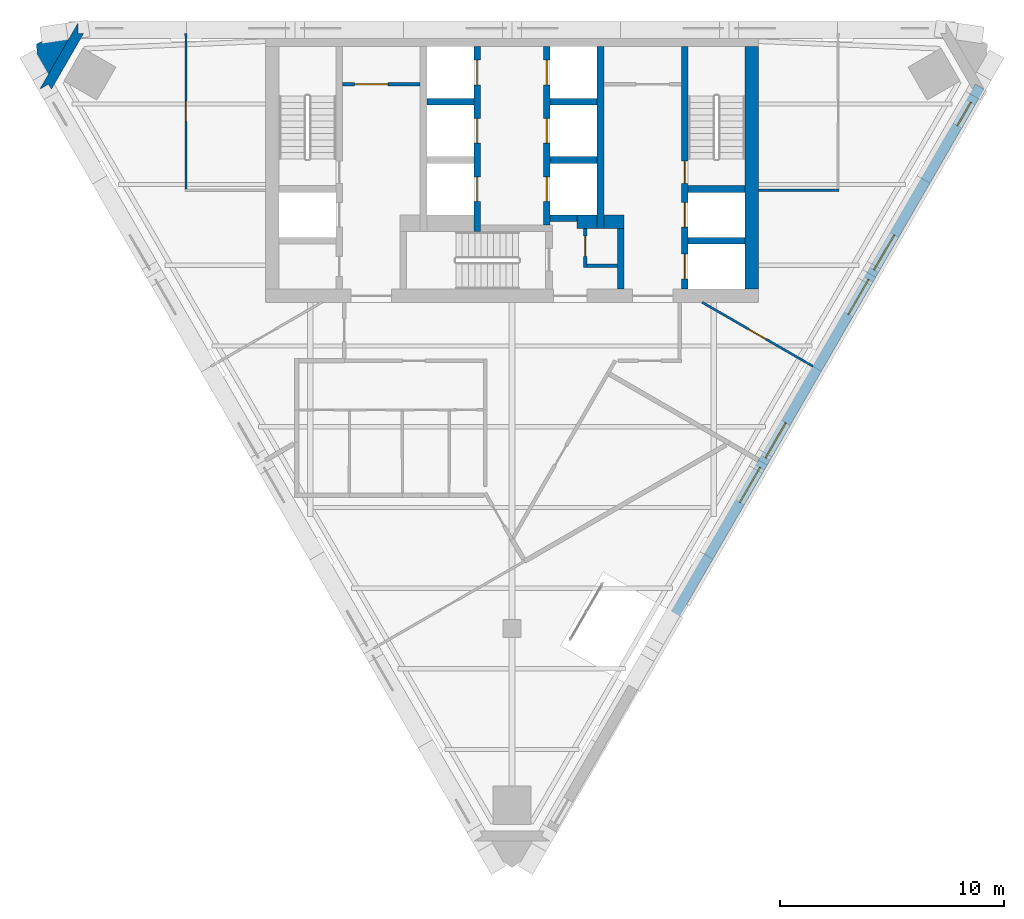
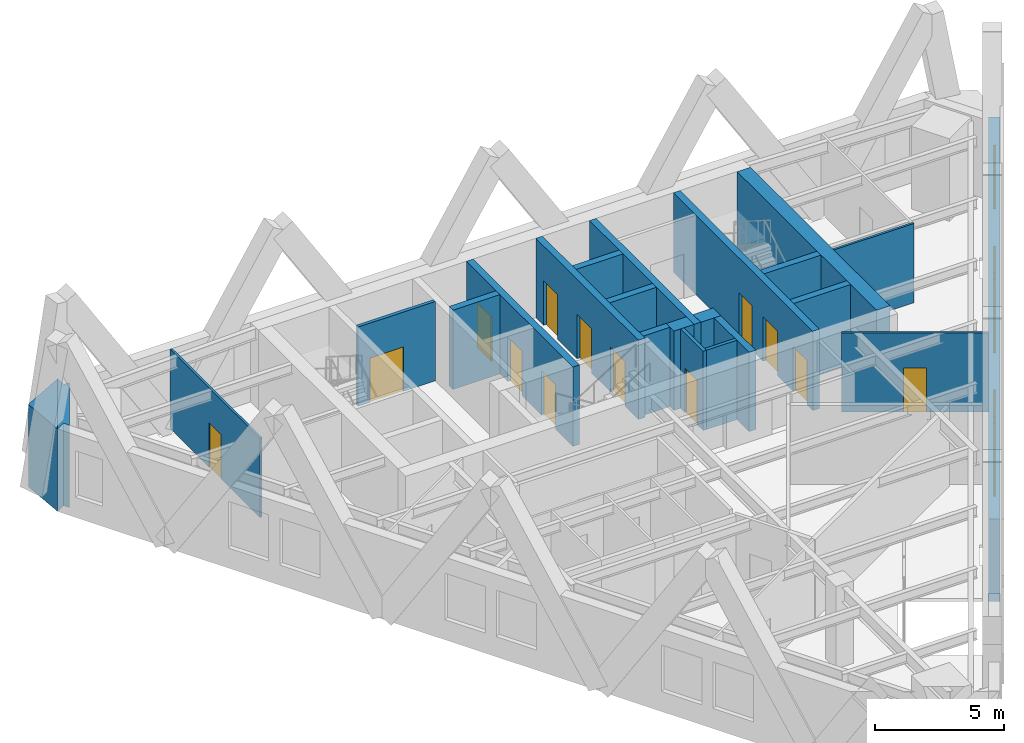
# One storey, part 6 of 10: 23 walls, 13 doors, 5 windows, 18 openings.
"""IFC4 building model written with IfcOpenShell, lengths in metres."""

from ifc_helpers import new_model, si_unit, direction, frame, frame_2d, origin, place, context, subcontext, project, spatial, polyline, rectangle, outline, extrude, material, layer, layer_set, type_object, element, fill, save


model = new_model("IFC4")

# Units and contexts
model_context = context("Model", 3, precision=1e-05, world=origin(), true_north=direction((0.0, 1.0)))
body_context = subcontext(model_context, "Body", "Model", "MODEL_VIEW")
ifc_project = project(units=[si_unit("LENGTHUNIT", "METRE"), si_unit("AREAUNIT", "SQUARE_METRE"), si_unit("VOLUMEUNIT", "CUBIC_METRE"), si_unit("PLANEANGLEUNIT", "RADIAN"), si_unit("MASSUNIT", "GRAM", prefix="KILO")], contexts=[model_context])

# Site, building, storey
site_placement = place(None, origin())
site = spatial("IfcSite", under=ifc_project, at=site_placement, CompositionType="ELEMENT")
building_placement = place(site_placement, origin())
building = spatial("IfcBuilding", under=site, at=building_placement, Name="Aloe Facet Convention Tower", CompositionType="ELEMENT")
storey_placement = place(building_placement, frame((0.0, 0.0, 219.199951171875)))
storey = spatial("IfcBuildingStorey", under=building, at=storey_placement, Name="L55", CompositionType="ELEMENT", Elevation=219.199951171875)

# Wall, opening, door
ifc_material_1 = material(Name="Concrete blockwork partition", Category="masonry")
ifc_layer_1 = layer(ifc_material_1, 0.14990234375)
ifc_layer_set_1 = layer_set([ifc_layer_1], Name="CR-W-PART150")
wall_type_1 = type_object("IfcWallType", Name="CR-W-PART150", PredefinedType="PARTITIONING", material=ifc_layer_set_1)
wall_1_placement = place(storey_placement, frame((72.449951171875, 132.27490234375, 0.0), z_axis=(0.0, 0.0, 1.0), x_axis=(1.0, 0.0, 0.0)))
wall_1 = element("IfcWall", 1, at=wall_1_placement, inside=storey, type_object=wall_type_1, Name="Core partition L55-007", PredefinedType="PARTITIONING", context=body_context, shape_type="SweptSolid", body=[
    extrude(rectangle(XDim=3.449951171875, YDim=0.14990234375, at=frame_2d((1.72509765625, 0.0))), origin(), (0.0, 0.0, 1.0), 3.75),
])
opening_1_placement = place(wall_1_placement, frame((0.52490234375, 0.0, 0.0)))
opening_1 = element("IfcOpeningElement", 2, at=opening_1_placement, cuts=wall_1, Name="Opening L55-CD14", PredefinedType="OPENING", context=body_context, shape_type="SweptSolid", body=[
    extrude(rectangle(XDim=1.5, YDim=2.10009765625, at=frame_2d((0.75, 1.050048828125))), frame((0.0, 0.0849609375, 0.0), z_axis=(0.0, -1.0, 0.0), x_axis=(1.0, 0.0, 0.0)), (0.0, 0.0, 1.0), 0.169921875),
])
ifc_material_2 = material(Name="Steel fire-resisting door set FD60", Category="steel")
door_type_1 = type_object("IfcDoorType", Name="CR-D-REFUGE-1500-FD60-DD", OperationType="DOUBLE_DOOR_DOUBLE_SWING", PredefinedType="DOOR", material=ifc_material_2)
door_1_placement = place(opening_1_placement, origin())
door_1 = element("IfcDoor", 3, at=door_1_placement, inside=storey, type_object=door_type_1, Name="Core door L55-CD14", OperationType="DOUBLE_DOOR_DOUBLE_SWING", OverallHeight=2.10009765625, OverallWidth=1.5, PredefinedType="DOOR", context=body_context, shape_type="SweptSolid", body=[
    extrude(rectangle(XDim=1.5, YDim=2.10009765625, at=frame_2d((0.75, 1.050048828125))), frame((0.0, 0.02490234375, 0.0), z_axis=(0.0, -1.0, 0.0), x_axis=(1.0, 0.0, 0.0)), (0.0, 0.0, 1.0), 0.050048828125),
])
fill(opening_1, door_1)

wall_2_placement = place(storey_placement, frame((83.27490234375, 125.85009765625, 0.0), z_axis=(0.0, 0.0, 1.0), x_axis=(0.0, -1.0, 0.0)))
wall_2 = element("IfcWall", 4, at=wall_2_placement, inside=storey, type_object=wall_type_1, Name="Core partition L55-022", PredefinedType="PARTITIONING", context=body_context, shape_type="SweptSolid", body=[
    extrude(rectangle(XDim=1.75, YDim=0.14990234375, at=frame_2d((0.875, 0.0))), origin(), (0.0, 0.0, 1.0), 3.75),
])
opening_2_placement = place(wall_2_placement, frame((0.35009765625, 0.0, 0.0)))
opening_2 = element("IfcOpeningElement", 5, at=opening_2_placement, cuts=wall_2, Name="Opening L55-CD12", PredefinedType="OPENING", context=body_context, shape_type="SweptSolid", body=[
    extrude(rectangle(XDim=0.89990234375, YDim=2.10009765625, at=frame_2d((0.449951171875, 1.050048828125))), frame((0.0, 0.0849609375, 0.0), z_axis=(0.0, -1.0, 0.0), x_axis=(1.0, 0.0, 0.0)), (0.0, 0.0, 1.0), 0.169921875),
])
ifc_material_3 = material(Name="Steel fire-resisting door set FD60", Category="steel")
door_type_2 = type_object("IfcDoorType", Name="CR-D-REFUGE-900-FD60-SRIGHT", OperationType="SINGLE_SWING_RIGHT", PredefinedType="DOOR", material=ifc_material_3)
door_2_placement = place(opening_2_placement, origin())
door_2 = element("IfcDoor", 6, at=door_2_placement, inside=storey, type_object=door_type_2, Name="Core door L55-CD12", OperationType="SINGLE_SWING_RIGHT", OverallHeight=2.10009765625, OverallWidth=0.89990234375, PredefinedType="DOOR", context=body_context, shape_type="SweptSolid", body=[
    extrude(rectangle(XDim=0.89990234375, YDim=2.10009765625, at=frame_2d((0.449951171875, 1.050048828125))), frame((0.0, 0.02490234375, 0.0), z_axis=(0.0, -1.0, 0.0), x_axis=(1.0, 0.0, 0.0)), (0.0, 0.0, 1.0), 0.050048828125),
])
fill(opening_2, door_2)

# Walls
wall_3_placement = place(storey_placement, frame((83.35009765625, 124.175048828125, 0.0), z_axis=(0.0, 0.0, 1.0), x_axis=(1.0, 0.0, 0.0)))
element("IfcWall", 7, at=wall_3_placement, inside=storey, type_object=wall_type_1, Name="Core partition L55-023", PredefinedType="PARTITIONING", context=body_context, shape_type="SweptSolid", body=[
    extrude(rectangle(XDim=1.349853515625, YDim=0.14990234375, at=frame_2d((0.6748046875, 0.0))), origin(), (0.0, 0.0, 1.0), 3.75),
])
ifc_material_4 = material(Name="Concrete C50/60", Category="concrete")
ifc_layer_2 = layer(ifc_material_4, 0.300048828125)
ifc_layer_set_2 = layer_set([ifc_layer_2], Name="CR-W-RC300-C5060")
wall_type_2 = type_object("IfcWallType", Name="CR-W-RC300-C5060", PredefinedType="SOLIDWALL", material=ifc_layer_set_2)
wall_4_placement = place(storey_placement, frame((76.199951171875, 131.5, 0.0), z_axis=(0.0, 0.0, 1.0), x_axis=(1.0, 0.0, 0.0)))
element("IfcWall", 8, at=wall_4_placement, inside=storey, type_object=wall_type_2, Name="Core wall L55-011", PredefinedType="SOLIDWALL", context=body_context, shape_type="SweptSolid", body=[
    extrude(rectangle(XDim=2.10009765625, YDim=0.300048828125, at=frame_2d((1.050048828125, 0.0))), origin(), (0.0, 0.0, 1.0), 3.75),
])

# Wall, openings, doors
wall_5_placement = place(storey_placement, frame((78.449951171875, 133.949951171875, 0.0), z_axis=(0.0, 0.0, 1.0), x_axis=(0.0, -1.0, 0.0)))
wall_5 = element("IfcWall", 9, at=wall_5_placement, inside=storey, type_object=wall_type_2, Name="Core wall L55-014", PredefinedType="SOLIDWALL", context=body_context, shape_type="SweptSolid", body=[
    extrude(rectangle(XDim=8.25, YDim=0.300048828125, at=frame_2d((4.125, 0.0))), origin(), (0.0, 0.0, 1.0), 3.75),
])
opening_3_placement = place(wall_5_placement, frame((0.60009765625, 0.0, 0.0)))
opening_3 = element("IfcOpeningElement", 10, at=opening_3_placement, cuts=wall_5, Name="Opening LD-B1-L55", PredefinedType="OPENING", context=body_context, shape_type="SweptSolid", body=[
    extrude(rectangle(XDim=1.10009765625, YDim=2.10009765625, at=frame_2d((0.550048828125, 1.050048828125))), frame((0.0, 0.16015625, 0.0), z_axis=(0.0, -1.0, 0.0), x_axis=(1.0, 0.0, 0.0)), (0.0, 0.0, 1.0), 0.320068359375),
])
opening_4_placement = place(wall_5_placement, frame((3.199951171875, 0.0, 0.0)))
opening_4 = element("IfcOpeningElement", 11, at=opening_4_placement, cuts=wall_5, Name="Opening LD-B2-L55", PredefinedType="OPENING", context=body_context, shape_type="SweptSolid", body=[
    extrude(rectangle(XDim=1.10009765625, YDim=2.10009765625, at=frame_2d((0.550048828125, 1.050048828125))), frame((0.0, 0.16015625, 0.0), z_axis=(0.0, -1.0, 0.0), x_axis=(1.0, 0.0, 0.0)), (0.0, 0.0, 1.0), 0.320068359375),
])
opening_5_placement = place(wall_5_placement, frame((5.800048828125, 0.0, 0.0)))
opening_5 = element("IfcOpeningElement", 12, at=opening_5_placement, cuts=wall_5, Name="Opening LD-B3-L55", PredefinedType="OPENING", context=body_context, shape_type="SweptSolid", body=[
    extrude(rectangle(XDim=1.10009765625, YDim=2.10009765625, at=frame_2d((0.550048828125, 1.050048828125))), frame((0.0, 0.16015625, 0.0), z_axis=(0.0, -1.0, 0.0), x_axis=(1.0, 0.0, 0.0)), (0.0, 0.0, 1.0), 0.320068359375),
])
ifc_material_5 = material(Name="Stainless steel sliding landing door", Category="steel")
door_type_3 = type_object("IfcDoorType", Name="CR-LD-1100-FD60-RIGHT", OperationType="SLIDING_TO_RIGHT", PredefinedType="DOOR", material=ifc_material_5)
door_3_placement = place(opening_3_placement, origin())
door_3 = element("IfcDoor", 13, at=door_3_placement, inside=storey, type_object=door_type_3, Name="Landing door B1 L55", OperationType="SLIDING_TO_RIGHT", OverallHeight=2.10009765625, OverallWidth=1.10009765625, PredefinedType="DOOR", context=body_context, shape_type="SweptSolid", body=[
    extrude(rectangle(XDim=1.10009765625, YDim=2.10009765625, at=frame_2d((0.550048828125, 1.050048828125))), frame((0.0, 0.02490234375, 0.0), z_axis=(0.0, -1.0, 0.0), x_axis=(1.0, 0.0, 0.0)), (0.0, 0.0, 1.0), 0.050048828125),
])
fill(opening_3, door_3)
door_4_placement = place(opening_4_placement, origin())
door_4 = element("IfcDoor", 14, at=door_4_placement, inside=storey, type_object=door_type_3, Name="Landing door B2 L55", OperationType="SLIDING_TO_RIGHT", OverallHeight=2.10009765625, OverallWidth=1.10009765625, PredefinedType="DOOR", context=body_context, shape_type="SweptSolid", body=[
    extrude(rectangle(XDim=1.10009765625, YDim=2.10009765625, at=frame_2d((0.550048828125, 1.050048828125))), frame((0.0, 0.02490234375, 0.0), z_axis=(0.0, -1.0, 0.0), x_axis=(1.0, 0.0, 0.0)), (0.0, 0.0, 1.0), 0.050048828125),
])
fill(opening_4, door_4)
door_5_placement = place(opening_5_placement, origin())
door_5 = element("IfcDoor", 15, at=door_5_placement, inside=storey, type_object=door_type_3, Name="Landing door B3 L55", OperationType="SLIDING_TO_RIGHT", OverallHeight=2.10009765625, OverallWidth=1.10009765625, PredefinedType="DOOR", context=body_context, shape_type="SweptSolid", body=[
    extrude(rectangle(XDim=1.10009765625, YDim=2.10009765625, at=frame_2d((0.550048828125, 1.050048828125))), frame((0.0, 0.02490234375, 0.0), z_axis=(0.0, -1.0, 0.0), x_axis=(1.0, 0.0, 0.0)), (0.0, 0.0, 1.0), 0.050048828125),
])
fill(opening_5, door_5)

wall_6_placement = place(storey_placement, frame((81.550048828125, 133.949951171875, 0.0), z_axis=(0.0, 0.0, 1.0), x_axis=(0.0, -1.0, 0.0)))
wall_6 = element("IfcWall", 16, at=wall_6_placement, inside=storey, type_object=wall_type_2, Name="Core wall L55-016", PredefinedType="SOLIDWALL", context=body_context, shape_type="SweptSolid", body=[
    extrude(rectangle(XDim=7.949951171875, YDim=0.300048828125, at=frame_2d((3.97509765625, 0.0))), origin(), (0.0, 0.0, 1.0), 3.75),
])
opening_6_placement = place(wall_6_placement, frame((0.60009765625, 0.0, 0.0)))
opening_6 = element("IfcOpeningElement", 17, at=opening_6_placement, cuts=wall_6, Name="Opening LD-B4-L55", PredefinedType="OPENING", context=body_context, shape_type="SweptSolid", body=[
    extrude(rectangle(XDim=1.10009765625, YDim=2.10009765625, at=frame_2d((0.550048828125, 1.050048828125))), frame((0.0, 0.16015625, 0.0), z_axis=(0.0, -1.0, 0.0), x_axis=(1.0, 0.0, 0.0)), (0.0, 0.0, 1.0), 0.320068359375),
])
opening_7_placement = place(wall_6_placement, frame((3.199951171875, 0.0, 0.0)))
opening_7 = element("IfcOpeningElement", 18, at=opening_7_placement, cuts=wall_6, Name="Opening LD-B5-L55", PredefinedType="OPENING", context=body_context, shape_type="SweptSolid", body=[
    extrude(rectangle(XDim=1.10009765625, YDim=2.10009765625, at=frame_2d((0.550048828125, 1.050048828125))), frame((0.0, 0.16015625, 0.0), z_axis=(0.0, -1.0, 0.0), x_axis=(1.0, 0.0, 0.0)), (0.0, 0.0, 1.0), 0.320068359375),
])
opening_8_placement = place(wall_6_placement, frame((5.800048828125, 0.0, 0.0)))
opening_8 = element("IfcOpeningElement", 19, at=opening_8_placement, cuts=wall_6, Name="Opening LD-B6-L55", PredefinedType="OPENING", context=body_context, shape_type="SweptSolid", body=[
    extrude(rectangle(XDim=1.10009765625, YDim=2.10009765625, at=frame_2d((0.550048828125, 1.050048828125))), frame((0.0, 0.16015625, 0.0), z_axis=(0.0, -1.0, 0.0), x_axis=(1.0, 0.0, 0.0)), (0.0, 0.0, 1.0), 0.320068359375),
])
ifc_material_6 = material(Name="Stainless steel sliding landing door", Category="steel")
door_type_4 = type_object("IfcDoorType", Name="CR-LD-1100-FD60-_LEFT", OperationType="SLIDING_TO_LEFT", PredefinedType="DOOR", material=ifc_material_6)
door_6_placement = place(opening_6_placement, origin())
door_6 = element("IfcDoor", 20, at=door_6_placement, inside=storey, type_object=door_type_4, Name="Landing door B4 L55", OperationType="SLIDING_TO_LEFT", OverallHeight=2.10009765625, OverallWidth=1.10009765625, PredefinedType="DOOR", context=body_context, shape_type="SweptSolid", body=[
    extrude(rectangle(XDim=1.10009765625, YDim=2.10009765625, at=frame_2d((0.550048828125, 1.050048828125))), frame((0.0, 0.02490234375, 0.0), z_axis=(0.0, -1.0, 0.0), x_axis=(1.0, 0.0, 0.0)), (0.0, 0.0, 1.0), 0.050048828125),
])
fill(opening_6, door_6)
door_7_placement = place(opening_7_placement, origin())
door_7 = element("IfcDoor", 21, at=door_7_placement, inside=storey, type_object=door_type_4, Name="Landing door B5 L55", OperationType="SLIDING_TO_LEFT", OverallHeight=2.10009765625, OverallWidth=1.10009765625, PredefinedType="DOOR", context=body_context, shape_type="SweptSolid", body=[
    extrude(rectangle(XDim=1.10009765625, YDim=2.10009765625, at=frame_2d((0.550048828125, 1.050048828125))), frame((0.0, 0.02490234375, 0.0), z_axis=(0.0, -1.0, 0.0), x_axis=(1.0, 0.0, 0.0)), (0.0, 0.0, 1.0), 0.050048828125),
])
fill(opening_7, door_7)
door_8_placement = place(opening_8_placement, origin())
door_8 = element("IfcDoor", 22, at=door_8_placement, inside=storey, type_object=door_type_4, Name="Landing door B6 L55", OperationType="SLIDING_TO_LEFT", OverallHeight=2.10009765625, OverallWidth=1.10009765625, PredefinedType="DOOR", context=body_context, shape_type="SweptSolid", body=[
    extrude(rectangle(XDim=1.10009765625, YDim=2.10009765625, at=frame_2d((0.550048828125, 1.050048828125))), frame((0.0, 0.02490234375, 0.0), z_axis=(0.0, -1.0, 0.0), x_axis=(1.0, 0.0, 0.0)), (0.0, 0.0, 1.0), 0.050048828125),
])
fill(opening_8, door_8)

# Walls
for number, where, z_axis, x_axis, name in (
    (23, (81.699951171875, 131.5, 0.0), (0.0, 0.0, 1.0), (1.0, 0.0, 0.0), "Core wall L55-018"),
    (24, (81.699951171875, 128.89990234375, 0.0), (0.0, 0.0, 1.0), (1.0, 0.0, 0.0), "Core wall L55-019"),
):
    element("IfcWall", number, at=place(storey_placement, frame(where, z_axis=z_axis, x_axis=x_axis)), inside=storey, type_object=wall_type_2, Name=name, PredefinedType="SOLIDWALL", context=body_context, shape_type="SweptSolid", body=[
        extrude(rectangle(XDim=2.10009765625, YDim=0.300048828125, at=frame_2d((1.050048828125, 0.0))), origin(), (0.0, 0.0, 1.0), 3.75),
    ])
wall_7_placement = place(storey_placement, frame((81.699951171875, 126.300048828125, 0.0), z_axis=(0.0, 0.0, 1.0), x_axis=(1.0, 0.0, 0.0)))
element("IfcWall", 25, at=wall_7_placement, inside=storey, type_object=wall_type_2, Name="Core wall L55-020", PredefinedType="SOLIDWALL", context=body_context, shape_type="SweptSolid", body=[
    extrude(rectangle(XDim=1.199951171875, YDim=0.300048828125, at=frame_2d((0.60009765625, 0.0))), origin(), (0.0, 0.0, 1.0), 3.75),
])
wall_8_placement = place(storey_placement, frame((83.949951171875, 133.949951171875, 0.0), z_axis=(0.0, 0.0, 1.0), x_axis=(0.0, -1.0, 0.0)))
element("IfcWall", 26, at=wall_8_placement, inside=storey, type_object=wall_type_2, Name="Core wall L55-024", PredefinedType="SOLIDWALL", context=body_context, shape_type="SweptSolid", body=[
    extrude(rectangle(XDim=8.099853515625, YDim=0.300048828125, at=frame_2d((4.0498046875, 0.0))), origin(), (0.0, 0.0, 1.0), 3.75),
])
wall_9_placement = place(storey_placement, frame((84.85009765625, 125.85009765625, 0.0), z_axis=(0.0, 0.0, 1.0), x_axis=(0.0, -1.0, 0.0)))
element("IfcWall", 27, at=wall_9_placement, inside=storey, type_object=wall_type_2, Name="Core wall L55-027", PredefinedType="SOLIDWALL", context=body_context, shape_type="SweptSolid", body=[
    extrude(rectangle(XDim=2.7001953125, YDim=0.300048828125, at=frame_2d((1.35009765625, 0.0))), origin(), (0.0, 0.0, 1.0), 3.75),
])

# Wall, openings, doors
wall_10_placement = place(storey_placement, frame((87.699951171875, 133.949951171875, 0.0), z_axis=(0.0, 0.0, 1.0), x_axis=(0.0, -1.0, 0.0)))
wall_10 = element("IfcWall", 28, at=wall_10_placement, inside=storey, type_object=wall_type_2, Name="Core wall L55-028", PredefinedType="SOLIDWALL", context=body_context, shape_type="SweptSolid", body=[
    extrude(rectangle(XDim=10.800048828125, YDim=0.300048828125, at=frame_2d((5.39990234375, 0.0))), origin(), (0.0, 0.0, 1.0), 3.75),
])
opening_9_placement = place(wall_10_placement, frame((6.949951171875, 0.0, 0.0)))
opening_9 = element("IfcOpeningElement", 29, at=opening_9_placement, cuts=wall_10, Name="Opening LD-FF2-L55", PredefinedType="OPENING", context=body_context, shape_type="SweptSolid", body=[
    extrude(rectangle(XDim=1.10009765625, YDim=2.10009765625, at=frame_2d((0.550048828125, 1.050048828125))), frame((0.0, 0.16015625, 0.0), z_axis=(0.0, -1.0, 0.0), x_axis=(1.0, 0.0, 0.0)), (0.0, 0.0, 1.0), 0.320068359375),
])
opening_10_placement = place(wall_10_placement, frame((5.10009765625, 0.0, 0.0)))
opening_10 = element("IfcOpeningElement", 30, at=opening_10_placement, cuts=wall_10, Name="Opening L55-CD17", PredefinedType="OPENING", context=body_context, shape_type="SweptSolid", body=[
    extrude(rectangle(XDim=1.0, YDim=2.10009765625, at=frame_2d((0.5, 1.050048828125))), frame((0.0, 0.16015625, 0.0), z_axis=(0.0, -1.0, 0.0), x_axis=(1.0, 0.0, 0.0)), (0.0, 0.0, 1.0), 0.320068359375),
])
opening_11_placement = place(wall_10_placement, frame((9.25, 0.0, 0.0)))
opening_11 = element("IfcOpeningElement", 31, at=opening_11_placement, cuts=wall_10, Name="Opening LD-SV1-L55", PredefinedType="OPENING", context=body_context, shape_type="SweptSolid", body=[
    extrude(rectangle(XDim=1.10009765625, YDim=2.10009765625, at=frame_2d((0.550048828125, 1.050048828125))), frame((0.0, 0.16015625, 0.0), z_axis=(0.0, -1.0, 0.0), x_axis=(1.0, 0.0, 0.0)), (0.0, 0.0, 1.0), 0.320068359375),
])
ifc_material_7 = material(Name="Steel fire-resisting door set FD120", Category="steel")
door_type_5 = type_object("IfcDoorType", Name="CR-D-STAIR-1000-FD120-SLEFT", OperationType="SINGLE_SWING_LEFT", PredefinedType="DOOR", material=ifc_material_7)
door_9_placement = place(opening_10_placement, origin())
door_9 = element("IfcDoor", 32, at=door_9_placement, inside=storey, type_object=door_type_5, Name="Core door L55-CD17", OperationType="SINGLE_SWING_LEFT", OverallHeight=2.10009765625, OverallWidth=1.0, PredefinedType="DOOR", context=body_context, shape_type="SweptSolid", body=[
    extrude(rectangle(XDim=1.0, YDim=2.10009765625, at=frame_2d((0.5, 1.050048828125))), frame((0.0, 0.02490234375, 0.0), z_axis=(0.0, -1.0, 0.0), x_axis=(1.0, 0.0, 0.0)), (0.0, 0.0, 1.0), 0.050048828125),
])
fill(opening_10, door_9)
ifc_material_8 = material(Name="Stainless steel sliding landing door", Category="steel")
door_type_6 = type_object("IfcDoorType", Name="CR-LD-1100-FD120-_LEFT", OperationType="SLIDING_TO_LEFT", PredefinedType="DOOR", material=ifc_material_8)
door_10_placement = place(opening_9_placement, origin())
door_10 = element("IfcDoor", 33, at=door_10_placement, inside=storey, type_object=door_type_6, Name="Landing door FF2 L55", OperationType="SLIDING_TO_LEFT", OverallHeight=2.10009765625, OverallWidth=1.10009765625, PredefinedType="DOOR", context=body_context, shape_type="SweptSolid", body=[
    extrude(rectangle(XDim=1.10009765625, YDim=2.10009765625, at=frame_2d((0.550048828125, 1.050048828125))), frame((0.0, 0.02490234375, 0.0), z_axis=(0.0, -1.0, 0.0), x_axis=(1.0, 0.0, 0.0)), (0.0, 0.0, 1.0), 0.050048828125),
])
fill(opening_9, door_10)
door_11_placement = place(opening_11_placement, origin())
door_11 = element("IfcDoor", 34, at=door_11_placement, inside=storey, type_object=door_type_6, Name="Landing door SV1 L55", OperationType="SLIDING_TO_LEFT", OverallHeight=2.10009765625, OverallWidth=1.10009765625, PredefinedType="DOOR", context=body_context, shape_type="SweptSolid", body=[
    extrude(rectangle(XDim=1.10009765625, YDim=2.10009765625, at=frame_2d((0.550048828125, 1.050048828125))), frame((0.0, 0.02490234375, 0.0), z_axis=(0.0, -1.0, 0.0), x_axis=(1.0, 0.0, 0.0)), (0.0, 0.0, 1.0), 0.050048828125),
])
fill(opening_11, door_11)

# Walls
for number, where, z_axis, x_axis, name in (
    (35, (87.85009765625, 127.60009765625, 0.0), (0.0, 0.0, 1.0), (1.0, 0.0, 0.0), "Core wall L55-029"),
    (36, (87.85009765625, 125.300048828125, 0.0), (0.0, 0.0, 1.0), (1.0, 0.0, 0.0), "Core wall L55-030"),
):
    element("IfcWall", number, at=place(storey_placement, frame(where, z_axis=z_axis, x_axis=x_axis)), inside=storey, type_object=wall_type_2, Name=name, PredefinedType="SOLIDWALL", context=body_context, shape_type="SweptSolid", body=[
        extrude(rectangle(XDim=2.5498046875, YDim=0.300048828125, at=frame_2d((1.27490234375, 0.0))), origin(), (0.0, 0.0, 1.0), 3.75),
    ])
ifc_material_9 = material(Name="Concrete C50/60", Category="concrete")
ifc_layer_3 = layer(ifc_material_9, 0.60009765625)
ifc_layer_set_3 = layer_set([ifc_layer_3], Name="CR-W-RC600-C5060")
wall_type_3 = type_object("IfcWallType", Name="CR-W-RC600-C5060", PredefinedType="SOLIDWALL", material=ifc_layer_set_3)
wall_11_placement = place(storey_placement, frame((82.89990234375, 126.14990234375, 0.0), z_axis=(0.0, 0.0, 1.0), x_axis=(1.0, 0.0, 0.0)))
element("IfcWall", 37, at=wall_11_placement, inside=storey, type_object=wall_type_3, Name="Core wall L55-021", PredefinedType="SOLIDWALL", context=body_context, shape_type="SweptSolid", body=[
    extrude(rectangle(XDim=0.900146484375, YDim=0.60009765625, at=frame_2d((0.4501953125, 0.0))), origin(), (0.0, 0.0, 1.0), 3.75),
])
wall_12_placement = place(storey_placement, frame((84.10009765625, 126.14990234375, 0.0), z_axis=(0.0, 0.0, 1.0), x_axis=(1.0, 0.0, 0.0)))
element("IfcWall", 38, at=wall_12_placement, inside=storey, type_object=wall_type_3, Name="Core wall L55-026", PredefinedType="SOLIDWALL", context=body_context, shape_type="SweptSolid", body=[
    extrude(rectangle(XDim=0.89990234375, YDim=0.60009765625, at=frame_2d((0.449951171875, 0.0))), origin(), (0.0, 0.0, 1.0), 3.75),
])
wall_13_placement = place(storey_placement, frame((90.699951171875, 133.949951171875, 0.0), z_axis=(0.0, 0.0, 1.0), x_axis=(0.0, -1.0, 0.0)))
element("IfcWall", 39, at=wall_13_placement, inside=storey, type_object=wall_type_3, Name="Core wall L55-031", PredefinedType="SOLIDWALL", context=body_context, shape_type="SweptSolid", body=[
    extrude(rectangle(XDim=10.800048828125, YDim=0.60009765625, at=frame_2d((5.39990234375, 0.0))), origin(), (0.0, 0.0, 1.0), 3.75),
])
ifc_material_10 = material(Name="Precast concrete C40/50", Category="concrete")
ifc_layer_4 = layer(ifc_material_10, 0.449951171875)
ifc_layer_set_4 = layer_set([ifc_layer_4], Name="EV-WALL-PIER")
wall_type_4 = type_object("IfcWallType", Name="EV-WALL-PIER", PredefinedType="SOLIDWALL", material=ifc_layer_set_4)
wall_14_placement = place(storey_placement, frame((0.0, 0.0, -0.14990234375)))
element("IfcWall", 40, at=wall_14_placement, inside=storey, type_object=wall_type_4, Name="EP-L55-A", PredefinedType="SOLIDWALL", context=body_context, shape_type="SweptSolid", body=[
    extrude(outline(polyline([(60.635498046875, 135.0), (60.635498046875, 134.550048828125), (60.895263671875, 134.550048828125), (59.455078125, 132.055419921875), (59.3251953125, 132.280517578125), (58.935302734375, 132.055419921875), (60.635498046875, 135.0)])), origin(), (0.0, 0.0, 1.0), 3.89990234375),
])
ifc_material_11 = material(Name="Precast concrete C40/50", Category="concrete")
ifc_layer_5 = layer(ifc_material_11, 3.947998046875)
ifc_layer_set_5 = layer_set([ifc_layer_5], Name="EV-WALL-SPINE")
wall_type_5 = type_object("IfcWallType", Name="EV-WALL-SPINE", PredefinedType="SOLIDWALL", material=ifc_layer_set_5)
wall_15_placement = place(storey_placement, frame((0.0, 0.0, -0.14990234375)))
element("IfcWall", 41, at=wall_15_placement, inside=storey, type_object=wall_type_5, Name="SP-NW-L55", PredefinedType="SOLIDWALL", context=body_context, shape_type="SweptSolid", body=[
    extrude(outline(polyline([(60.635498046875, 135.0), (58.785888671875, 134.07177734375), (58.935302734375, 132.055419921875), (60.635498046875, 135.0)])), origin(), (0.0, 0.0, 1.0), 3.89990234375),
])

# Wall, openings, windows
ifc_material_12 = material(Name="Precast concrete C40/50", Category="concrete")
ifc_layer_6 = layer(ifc_material_12, 0.449951171875)
ifc_layer_set_6 = layer_set([ifc_layer_6], Name="EV-WALL-STONE")
wall_type_6 = type_object("IfcWallType", Name="EV-WALL-STONE", PredefinedType="SOLIDWALL", material=ifc_layer_set_6)
wall_16_placement = place(storey_placement, frame((87.29638671875, 108.658203125, -0.14990234375), z_axis=(0.0, 0.0, 1.0), x_axis=(0.500003227337, 0.866023540472, 0.0)))
wall_16 = element("IfcWall", 42, at=wall_16_placement, inside=storey, type_object=wall_type_6, Name="EW-L55-E02", PredefinedType="SOLIDWALL", context=body_context, shape_type="SweptSolid", body=[
    extrude(outline(polyline([(27.14697265625, 3.89990234375), (27.14697265625, 0.0), (0.0, 0.0), (0.0, 3.89990234375), (27.14697265625, 3.89990234375)])), frame((0.0, 0.22509765625, 0.0), z_axis=(0.0, -1.0, 0.0), x_axis=(1.0, 0.0, 0.0)), (0.0, 0.0, 1.0), 0.449951171875),
])
opening_12_placement = place(wall_16_placement, frame((5.732421875, 0.0, 0.949951171875)))
opening_12 = element("IfcOpeningElement", 43, at=opening_12_placement, cuts=wall_16, Name="Opening W-L55-E02", PredefinedType="OPENING", context=body_context, shape_type="SweptSolid", body=[
    extrude(rectangle(XDim=1.800048828125, YDim=2.199951171875, at=frame_2d((0.89990234375, 1.10009765625))), frame((0.0, 0.23486328125, 0.0), z_axis=(0.0, -1.0, 0.0), x_axis=(1.0, 0.0, 0.0)), (0.0, 0.0, 1.0), 0.469970703125),
])
opening_13_placement = place(wall_16_placement, frame((8.0322265625, 0.0, 0.949951171875)))
opening_13 = element("IfcOpeningElement", 44, at=opening_13_placement, cuts=wall_16, Name="Opening W-L55-E03", PredefinedType="OPENING", context=body_context, shape_type="SweptSolid", body=[
    extrude(rectangle(XDim=1.800048828125, YDim=2.199951171875, at=frame_2d((0.89990234375, 1.10009765625))), frame((0.0, 0.23486328125, 0.0), z_axis=(0.0, -1.0, 0.0), x_axis=(1.0, 0.0, 0.0)), (0.0, 0.0, 1.0), 0.469970703125),
])
opening_14_placement = place(wall_16_placement, frame((15.41455078125, 0.0, 0.949951171875)))
opening_14 = element("IfcOpeningElement", 45, at=opening_14_placement, cuts=wall_16, Name="Opening W-L55-E04", PredefinedType="OPENING", context=body_context, shape_type="SweptSolid", body=[
    extrude(rectangle(XDim=1.800048828125, YDim=2.199951171875, at=frame_2d((0.89990234375, 1.10009765625))), frame((0.0, 0.23486328125, 0.0), z_axis=(0.0, -1.0, 0.0), x_axis=(1.0, 0.0, 0.0)), (0.0, 0.0, 1.0), 0.469970703125),
])
opening_15_placement = place(wall_16_placement, frame((17.714599609375, 0.0, 0.949951171875)))
opening_15 = element("IfcOpeningElement", 46, at=opening_15_placement, cuts=wall_16, Name="Opening W-L55-E05", PredefinedType="OPENING", context=body_context, shape_type="SweptSolid", body=[
    extrude(rectangle(XDim=1.800048828125, YDim=2.199951171875, at=frame_2d((0.89990234375, 1.10009765625))), frame((0.0, 0.23486328125, 0.0), z_axis=(0.0, -1.0, 0.0), x_axis=(1.0, 0.0, 0.0)), (0.0, 0.0, 1.0), 0.469970703125),
])
opening_16_placement = place(wall_16_placement, frame((25.139892578125, 0.0, 0.949951171875)))
opening_16 = element("IfcOpeningElement", 47, at=opening_16_placement, cuts=wall_16, Name="Opening W-L55-E06", PredefinedType="OPENING", context=body_context, shape_type="SweptSolid", body=[
    extrude(rectangle(XDim=1.199951171875, YDim=2.199951171875, at=frame_2d((0.60009765625, 1.10009765625))), frame((0.0, 0.23486328125, 0.0), z_axis=(0.0, -1.0, 0.0), x_axis=(1.0, 0.0, 0.0)), (0.0, 0.0, 1.0), 0.469970703125),
])
ifc_material_13 = material(Name="Aluminium frame, clear double glazing", Category="aluminium")
window_type_1 = type_object("IfcWindowType", Name="EV-WIN-O12", PartitioningType="SINGLE_PANEL", PredefinedType="WINDOW", material=ifc_material_13)
window_1_placement = place(opening_16_placement, origin())
window_1 = element("IfcWindow", 48, at=window_1_placement, inside=storey, type_object=window_type_1, Name="W-L55-E06", OverallHeight=2.199951171875, OverallWidth=1.199951171875, PartitioningType="SINGLE_PANEL", PredefinedType="WINDOW", context=body_context, shape_type="SweptSolid", body=[
    extrude(rectangle(XDim=1.199951171875, YDim=2.199951171875, at=frame_2d((0.60009765625, 1.10009765625))), frame((0.0, 0.030029296875, 0.0), z_axis=(0.0, -1.0, 0.0), x_axis=(1.0, 0.0, 0.0)), (0.0, 0.0, 1.0), 0.06005859375),
])
fill(opening_16, window_1)
ifc_material_14 = material(Name="Aluminium frame, clear double glazing", Category="aluminium")
window_type_2 = type_object("IfcWindowType", Name="EV-WIN-O18", PartitioningType="SINGLE_PANEL", PredefinedType="WINDOW", material=ifc_material_14)
window_2_placement = place(opening_12_placement, origin())
window_2 = element("IfcWindow", 49, at=window_2_placement, inside=storey, type_object=window_type_2, Name="W-L55-E02", OverallHeight=2.199951171875, OverallWidth=1.800048828125, PartitioningType="SINGLE_PANEL", PredefinedType="WINDOW", context=body_context, shape_type="SweptSolid", body=[
    extrude(rectangle(XDim=1.800048828125, YDim=2.199951171875, at=frame_2d((0.89990234375, 1.10009765625))), frame((0.0, 0.030029296875, 0.0), z_axis=(0.0, -1.0, 0.0), x_axis=(1.0, 0.0, 0.0)), (0.0, 0.0, 1.0), 0.06005859375),
])
fill(opening_12, window_2)
window_3_placement = place(opening_13_placement, origin())
window_3 = element("IfcWindow", 50, at=window_3_placement, inside=storey, type_object=window_type_2, Name="W-L55-E03", OverallHeight=2.199951171875, OverallWidth=1.800048828125, PartitioningType="SINGLE_PANEL", PredefinedType="WINDOW", context=body_context, shape_type="SweptSolid", body=[
    extrude(rectangle(XDim=1.800048828125, YDim=2.199951171875, at=frame_2d((0.89990234375, 1.10009765625))), frame((0.0, 0.030029296875, 0.0), z_axis=(0.0, -1.0, 0.0), x_axis=(1.0, 0.0, 0.0)), (0.0, 0.0, 1.0), 0.06005859375),
])
fill(opening_13, window_3)
window_4_placement = place(opening_14_placement, origin())
window_4 = element("IfcWindow", 51, at=window_4_placement, inside=storey, type_object=window_type_2, Name="W-L55-E04", OverallHeight=2.199951171875, OverallWidth=1.800048828125, PartitioningType="SINGLE_PANEL", PredefinedType="WINDOW", context=body_context, shape_type="SweptSolid", body=[
    extrude(rectangle(XDim=1.800048828125, YDim=2.199951171875, at=frame_2d((0.89990234375, 1.10009765625))), frame((0.0, 0.030029296875, 0.0), z_axis=(0.0, -1.0, 0.0), x_axis=(1.0, 0.0, 0.0)), (0.0, 0.0, 1.0), 0.06005859375),
])
fill(opening_14, window_4)
window_5_placement = place(opening_15_placement, origin())
window_5 = element("IfcWindow", 52, at=window_5_placement, inside=storey, type_object=window_type_2, Name="W-L55-E05", OverallHeight=2.199951171875, OverallWidth=1.800048828125, PartitioningType="SINGLE_PANEL", PredefinedType="WINDOW", context=body_context, shape_type="SweptSolid", body=[
    extrude(rectangle(XDim=1.800048828125, YDim=2.199951171875, at=frame_2d((0.89990234375, 1.10009765625))), frame((0.0, 0.030029296875, 0.0), z_axis=(0.0, -1.0, 0.0), x_axis=(1.0, 0.0, 0.0)), (0.0, 0.0, 1.0), 0.06005859375),
])
fill(opening_15, window_5)

# Wall, opening, door
ifc_material_15 = material(Name="Gypsum board partition on steel studs", Category="steel")
ifc_layer_7 = layer(ifc_material_15, 0.10009765625)
ifc_layer_set_7 = layer_set([ifc_layer_7], Name="IN-W-PART")
wall_type_7 = type_object("IfcWallType", Name="IN-W-PART", PredefinedType="PARTITIONING", material=ifc_layer_set_7)
wall_17_placement = place(storey_placement, frame((88.481689453125, 122.550048828125, 0.0), z_axis=(0.0, 0.0, 1.0), x_axis=(0.866023511746, -0.500003277092, 0.0)))
wall_17 = element("IfcWall", 53, at=wall_17_placement, inside=storey, type_object=wall_type_7, Name="Partition L55-W027", PredefinedType="PARTITIONING", context=body_context, shape_type="SweptSolid", body=[
    extrude(rectangle(XDim=5.6943359375, YDim=0.10009765625, at=frame_2d((2.84716796875, 0.0))), origin(), (0.0, 0.0, 1.0), 3.75),
])
opening_17_placement = place(wall_17_placement, frame((2.397216796875, 0.0, 0.0)))
opening_17 = element("IfcOpeningElement", 54, at=opening_17_placement, cuts=wall_17, Name="Opening L55-013", PredefinedType="OPENING", context=body_context, shape_type="SweptSolid", body=[
    extrude(rectangle(XDim=0.89990234375, YDim=2.10009765625, at=frame_2d((0.449951171875, 1.050048828125))), frame((0.0, 0.06005859375, 0.0), z_axis=(0.0, -1.0, 0.0), x_axis=(1.0, 0.0, 0.0)), (0.0, 0.0, 1.0), 0.1201171875),
])
ifc_material_16 = material(Name="Timber door", Category="wood")
door_type_7 = type_object("IfcDoorType", Name="IN-OFF-D-ROOM", OperationType="SINGLE_SWING_LEFT", PredefinedType="DOOR", material=ifc_material_16)
door_12_placement = place(opening_17_placement, origin())
door_12 = element("IfcDoor", 55, at=door_12_placement, inside=storey, type_object=door_type_7, Name="Door L55-013", OperationType="SINGLE_SWING_LEFT", OverallHeight=2.10009765625, OverallWidth=0.89990234375, PredefinedType="DOOR", context=body_context, shape_type="SweptSolid", body=[
    extrude(rectangle(XDim=0.89990234375, YDim=2.10009765625, at=frame_2d((0.449951171875, 1.050048828125))), frame((0.0, 0.02490234375, 0.0), z_axis=(0.0, -1.0, 0.0), x_axis=(1.0, 0.0, 0.0)), (0.0, 0.0, 1.0), 0.050048828125),
])
fill(opening_17, door_12)

# Wall
wall_18_placement = place(storey_placement, frame((91.0, 127.547119140625, 0.0), z_axis=(0.0, 0.0, 1.0), x_axis=(0.999999667846, 0.00081505101, 0.0)))
element("IfcWall", 56, at=wall_18_placement, inside=storey, type_object=wall_type_7, Name="Partition L55-W035", PredefinedType="PARTITIONING", context=body_context, shape_type="SweptSolid", body=[
    extrude(rectangle(XDim=3.594482421875, YDim=0.10009765625, at=frame_2d((1.79736328125, 0.0))), origin(), (0.0, 0.0, 1.0), 3.75),
])

# Wall, opening, door
wall_19_placement = place(storey_placement, frame((65.4521484375, 134.5498046875, 0.0), z_axis=(0.0, 0.0, 1.0), x_axis=(0.000491814737, -0.999999879059, 0.0)))
wall_19 = element("IfcWall", 57, at=wall_19_placement, inside=storey, type_object=wall_type_7, Name="Partition L55-W038", PredefinedType="PARTITIONING", context=body_context, shape_type="SweptSolid", body=[
    extrude(rectangle(XDim=6.94970703125, YDim=0.10009765625, at=frame_2d((3.474853515625, 0.0))), origin(), (0.0, 0.0, 1.0), 3.75),
])
opening_18_placement = place(wall_19_placement, frame((3.02490234375, 0.0, 0.0)))
opening_18 = element("IfcOpeningElement", 58, at=opening_18_placement, cuts=wall_19, Name="Opening L55-007", PredefinedType="OPENING", context=body_context, shape_type="SweptSolid", body=[
    extrude(rectangle(XDim=0.89990234375, YDim=2.10009765625, at=frame_2d((0.449951171875, 1.050048828125))), frame((0.0, 0.06005859375, 0.0), z_axis=(0.0, -1.0, 0.0), x_axis=(1.0, 0.0, 0.0)), (0.0, 0.0, 1.0), 0.1201171875),
])
door_13_placement = place(opening_18_placement, origin())
door_13 = element("IfcDoor", 59, at=door_13_placement, inside=storey, type_object=door_type_7, Name="Door L55-007", OperationType="SINGLE_SWING_LEFT", OverallHeight=2.10009765625, OverallWidth=0.89990234375, PredefinedType="DOOR", context=body_context, shape_type="SweptSolid", body=[
    extrude(rectangle(XDim=0.89990234375, YDim=2.10009765625, at=frame_2d((0.449951171875, 1.050048828125))), frame((0.0, 0.02490234375, 0.0), z_axis=(0.0, -1.0, 0.0), x_axis=(1.0, 0.0, 0.0)), (0.0, 0.0, 1.0), 0.050048828125),
])
fill(opening_18, door_13)

save(model, "model.ifc")
